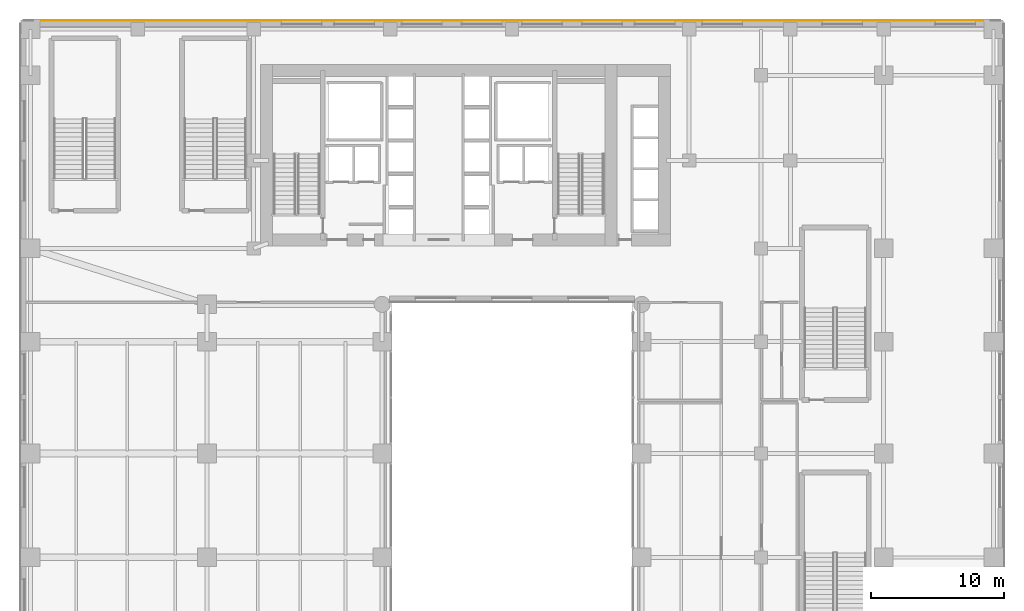
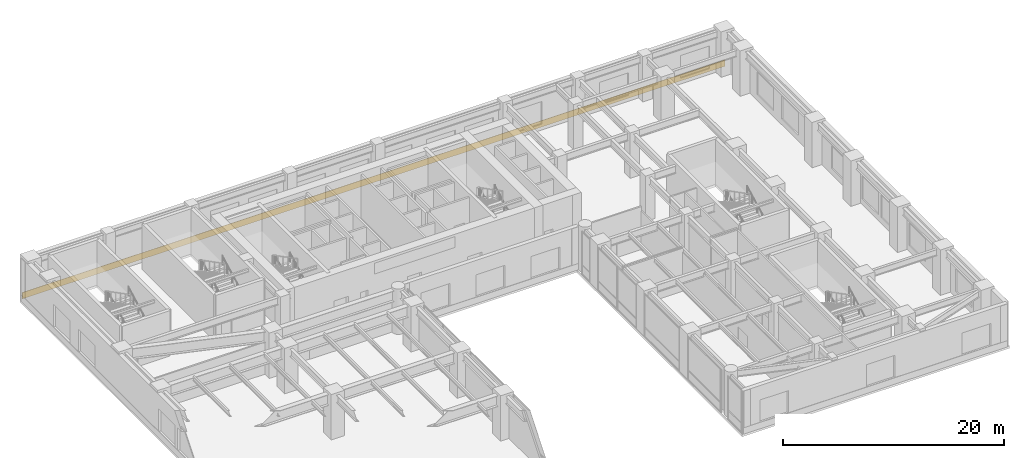
# One storey, part 23 of 24: 1 covering.
"""IFC4 building model written with IfcOpenShell, lengths in metres."""

from ifc_helpers import new_model, si_unit, direction, frame, origin, place, context, subcontext, project, spatial, polyline, outline, extrude, material, layer, layer_set, type_object, element, save


model = new_model("IFC4")

# Units and contexts
model_context = context("Model", 3, precision=1e-05, world=origin(), true_north=direction((0.0, 1.0)))
body_context = subcontext(model_context, "Body", "Model", "MODEL_VIEW")
ifc_project = project(units=[si_unit("LENGTHUNIT", "METRE"), si_unit("AREAUNIT", "SQUARE_METRE"), si_unit("VOLUMEUNIT", "CUBIC_METRE"), si_unit("PLANEANGLEUNIT", "RADIAN"), si_unit("MASSUNIT", "GRAM", prefix="KILO")], contexts=[model_context])

# Site, building, storey
site_placement = place(None, origin())
site = spatial("IfcSite", under=ifc_project, at=site_placement, CompositionType="ELEMENT")
building_placement = place(site_placement, origin())
building = spatial("IfcBuilding", under=site, at=building_placement, Name="Tolvann Quenvar Hotel", CompositionType="ELEMENT")
storey_placement = place(building_placement, frame((0.0, 0.0, 6.0)))
storey = spatial("IfcBuildingStorey", under=building, at=storey_placement, Name="L01", CompositionType="ELEMENT", Elevation=6.0)

# Covering
ifc_material = material(Name="Moulded buff architectural terracotta spandrel cladding", Category="masonry")
ifc_layer = layer(ifc_material, 0.0400390625)
ifc_layer_set = layer_set([ifc_layer], Name="Moulded buff architectural terracotta spandrel cladding")
covering_type = type_object("IfcCoveringType", Name="COV_CLAD_TERRA_40", PredefinedType="CLADDING", material=ifc_layer_set)
covering_placement = place(storey_placement, origin())
element("IfcCovering", 1, at=covering_placement, inside=storey, type_object=covering_type, Name="Terracotta Spandrel Cladding (L01-E06)", PredefinedType="CLADDING", context=body_context, shape_type="SweptSolid", body=[
    extrude(outline(polyline([(65.14990234375, 48.5), (-8.14990234375, 48.5), (-8.14990234375, 48.5400390625), (65.14990234375, 48.5400390625), (65.14990234375, 48.5)])), origin(), (0.0, 0.0, 1.0), 0.699951171875),
])

save(model, "model.ifc")
